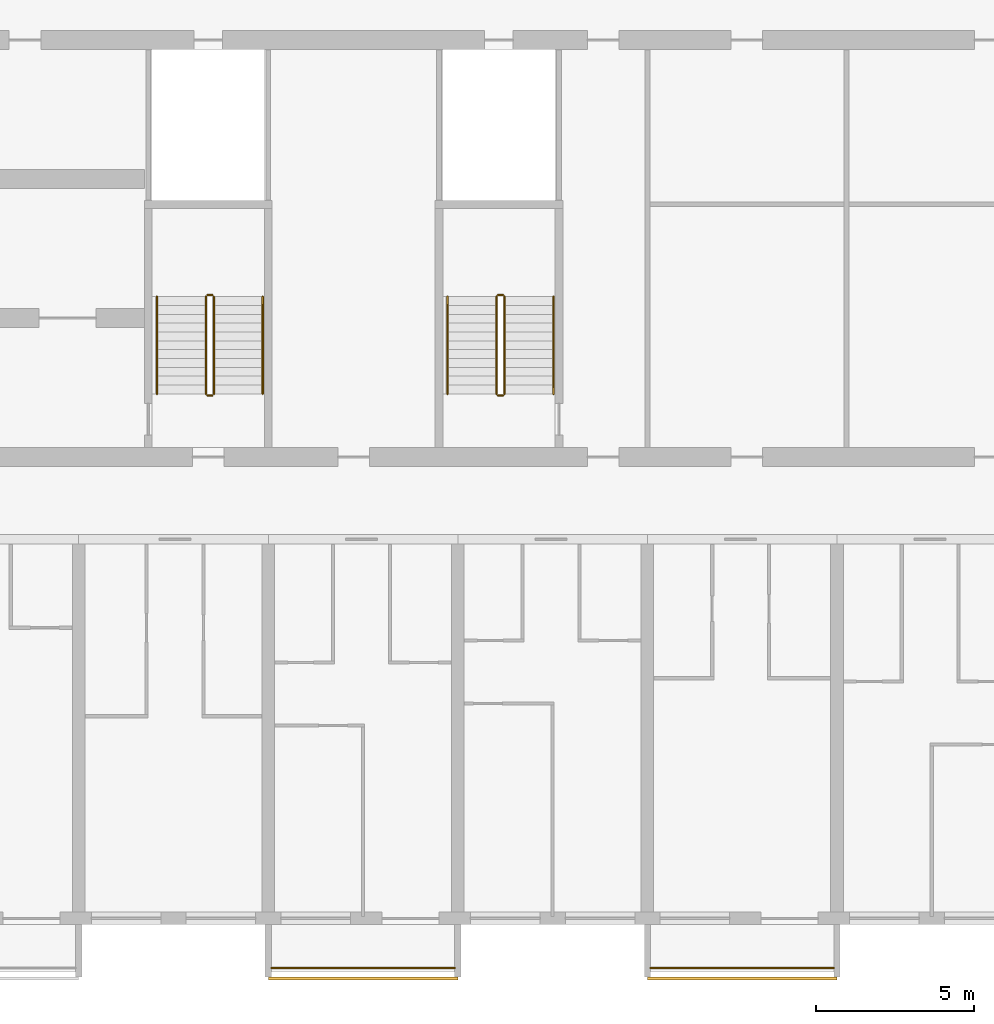
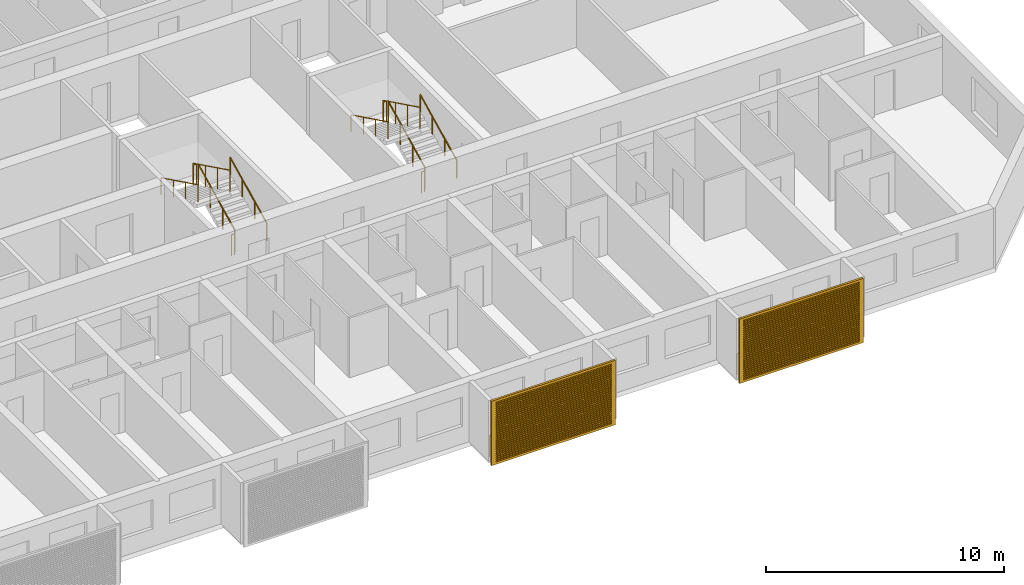
# One storey, part 30 of 38: 14 railings, 2 shading devices.
"""IFC4 building model written with IfcOpenShell, lengths in metres."""

from ifc_helpers import new_model, si_unit, direction, frame, origin, origin_2d, place, context, subcontext, project, spatial, polyline, circle, outline, extrude, source, transform, mapped, material, material_profile, profile_set, type_object, element, save


model = new_model("IFC4")

# Units and contexts
model_context = context("Model", 3, precision=1e-05, world=origin(), true_north=direction((0.0, 1.0)))
body_context = subcontext(model_context, "Body", "Model", "MODEL_VIEW")
ifc_project = project(units=[si_unit("LENGTHUNIT", "METRE"), si_unit("AREAUNIT", "SQUARE_METRE"), si_unit("VOLUMEUNIT", "CUBIC_METRE"), si_unit("PLANEANGLEUNIT", "RADIAN"), si_unit("MASSUNIT", "GRAM", prefix="KILO")], contexts=[model_context])

# Site, building, storey
site_placement = place(None, origin())
site = spatial("IfcSite", under=ifc_project, at=site_placement, CompositionType="ELEMENT")
building_placement = place(site_placement, origin())
building = spatial("IfcBuilding", under=site, at=building_placement, Name="Poui Terraces", CompositionType="ELEMENT")
storey_placement = place(building_placement, frame((0.0, 0.0, 46.5)))
storey = spatial("IfcBuildingStorey", under=building, at=storey_placement, Name="L12", CompositionType="ELEMENT", Elevation=46.5)

# Railings
ifc_material_1 = material(Name="Painted steel fretwork", Category="steel")
railing_type_1 = type_object("IfcRailingType", Name="BALCONY GUARD 1100", PredefinedType="GUARDRAIL", material=ifc_material_1)
for number, where, name in (
    (1, (72.10009765625, -1.570068359375, 0.0), "BALCONY GUARD"),
    (2, (84.10009765625, -1.570068359375, 0.0), "BALCONY GUARD"),
):
    element("IfcRailing", number, at=place(storey_placement, frame(where)), inside=storey, type_object=railing_type_1, Name=name, PredefinedType="GUARDRAIL", context=body_context, shape_type="SweptSolid", body=[
        extrude(circle(Radius=0.02392578125, at=origin_2d()), frame((0.0, 0.0, 1.076171875), z_axis=(1.0, 0.0, 0.0), x_axis=(0.0, 1.0, 0.0)), (0.0, 0.0, 1.0), 5.7998046875),
        extrude(circle(Radius=0.02099609375, at=origin_2d()), origin(), (0.0, 0.0, 1.0), 1.052001953125),
        extrude(circle(Radius=0.02099609375, at=origin_2d()), frame((0.966552734375, 0.0, 0.0)), (0.0, 0.0, 1.0), 1.052001953125),
        extrude(circle(Radius=0.02099609375, at=origin_2d()), frame((1.933349609375, 0.0, 0.0)), (0.0, 0.0, 1.0), 1.052001953125),
        extrude(circle(Radius=0.02099609375, at=origin_2d()), frame((2.89990234375, 0.0, 0.0)), (0.0, 0.0, 1.0), 1.052001953125),
        extrude(circle(Radius=0.02099609375, at=origin_2d()), frame((3.866455078125, 0.0, 0.0)), (0.0, 0.0, 1.0), 1.052001953125),
        extrude(circle(Radius=0.02099609375, at=origin_2d()), frame((4.833251953125, 0.0, 0.0)), (0.0, 0.0, 1.0), 1.052001953125),
        extrude(circle(Radius=0.02099609375, at=origin_2d()), frame((5.7998046875, 0.0, 0.0)), (0.0, 0.0, 1.0), 1.052001953125),
    ])
ifc_material_2 = material(Name="Galvanised steel balustrade", Category="steel")
railing_type_2 = type_object("IfcRailingType", Name="STAIR GUARD 1100", PredefinedType="GUARDRAIL", material=ifc_material_2)
railing_1_placement = place(storey_placement, frame((70.27490234375, 16.60009765625, 0.137451171875)))
element("IfcRailing", 3, at=railing_1_placement, inside=storey, type_object=railing_type_2, Name="L12 ST-CE stair guard 1", PredefinedType="GUARDRAIL", context=body_context, shape_type="SweptSolid", body=[
    extrude(circle(Radius=0.02392578125, at=origin_2d()), frame((0.0, 0.0, 1.076171875), z_axis=(0.0, 0.897606190399, 0.440798283751), x_axis=(-1.0, 0.0, 0.0)), (0.0, 0.0, 1.0), 3.43115234375),
    extrude(circle(Radius=0.02099609375, at=origin_2d()), origin(), (0.0, 0.0, 1.0), 1.052001953125),
    extrude(circle(Radius=0.02099609375, at=origin_2d()), frame((0.0, 1.026611328125, 0.504150390625)), (0.0, 0.0, 1.0), 1.052001953125),
    extrude(circle(Radius=0.02099609375, at=origin_2d()), frame((0.0, 2.05322265625, 1.00830078125)), (0.0, 0.0, 1.0), 1.052001953125),
    extrude(circle(Radius=0.02099609375, at=origin_2d()), frame((0.0, 3.079833984375, 1.512451171875)), (0.0, 0.0, 1.0), 1.052001953125),
])
railing_2_placement = place(storey_placement, frame((70.22509765625, 19.72998046875, 1.64990234375)))
element("IfcRailing", 4, at=railing_2_placement, inside=storey, type_object=railing_type_2, Name="L12 ST-CE stair guard 2", PredefinedType="GUARDRAIL", context=body_context, shape_type="SweptSolid", body=[
    extrude(circle(Radius=0.02392578125, at=origin_2d()), frame((0.0, 0.0, 1.076171875), z_axis=(-1.0, 0.0, 0.0), x_axis=(0.0, -1.0, 0.0)), (0.0, 0.0, 1.0), 0.150146484375),
    extrude(circle(Radius=0.02099609375, at=origin_2d()), origin(), (0.0, 0.0, 1.0), 1.052001953125),
    extrude(circle(Radius=0.02099609375, at=origin_2d()), frame((-0.150146484375, 0.0, 0.0)), (0.0, 0.0, 1.0), 1.052001953125),
])
railing_3_placement = place(storey_placement, frame((70.02490234375, 19.679931640625, 1.78759765625)))
element("IfcRailing", 5, at=railing_3_placement, inside=storey, type_object=railing_type_2, Name="L12 ST-CE stair guard 3", PredefinedType="GUARDRAIL", context=body_context, shape_type="SweptSolid", body=[
    extrude(circle(Radius=0.02392578125, at=origin_2d()), frame((0.0, 0.0, 1.076171875), z_axis=(0.0, -0.897606190399, 0.440798283751), x_axis=(1.0, 0.0, 0.0)), (0.0, 0.0, 1.0), 3.43115234375),
    extrude(circle(Radius=0.02099609375, at=origin_2d()), origin(), (0.0, 0.0, 1.0), 1.052001953125),
    extrude(circle(Radius=0.02099609375, at=origin_2d()), frame((0.0, -1.026611328125, 0.504150390625)), (0.0, 0.0, 1.0), 1.052001953125),
    extrude(circle(Radius=0.02099609375, at=origin_2d()), frame((0.0, -2.05322265625, 1.00830078125)), (0.0, 0.0, 1.0), 1.052001953125),
    extrude(circle(Radius=0.02099609375, at=origin_2d()), frame((0.0, -3.079833984375, 1.512451171875)), (0.0, 0.0, 1.0), 1.052001953125),
])
railing_4_placement = place(storey_placement, frame((70.22509765625, 16.550048828125, 0.0)))
element("IfcRailing", 6, at=railing_4_placement, inside=storey, type_object=railing_type_2, Name="L12 ST-CE stair guard 4", PredefinedType="GUARDRAIL", context=body_context, shape_type="SweptSolid", body=[
    extrude(circle(Radius=0.02392578125, at=origin_2d()), frame((0.0, 0.0, 1.076171875), z_axis=(-1.0, 0.0, 0.0), x_axis=(0.0, -1.0, 0.0)), (0.0, 0.0, 1.0), 0.150146484375),
    extrude(circle(Radius=0.02099609375, at=origin_2d()), origin(), (0.0, 0.0, 1.0), 1.052001953125),
    extrude(circle(Radius=0.02099609375, at=origin_2d()), frame((-0.150146484375, 0.0, 0.0)), (0.0, 0.0, 1.0), 1.052001953125),
])
railing_5_placement = place(storey_placement, frame((79.47509765625, 16.60009765625, 0.137451171875)))
element("IfcRailing", 7, at=railing_5_placement, inside=storey, type_object=railing_type_2, Name="L12 ST-E stair guard 1", PredefinedType="GUARDRAIL", context=body_context, shape_type="SweptSolid", body=[
    extrude(circle(Radius=0.02392578125, at=origin_2d()), frame((0.0, 0.0, 1.076171875), z_axis=(0.0, 0.897606190399, 0.440798283751), x_axis=(-1.0, 0.0, 0.0)), (0.0, 0.0, 1.0), 3.43115234375),
    extrude(circle(Radius=0.02099609375, at=origin_2d()), origin(), (0.0, 0.0, 1.0), 1.052001953125),
    extrude(circle(Radius=0.02099609375, at=origin_2d()), frame((0.0, 1.026611328125, 0.504150390625)), (0.0, 0.0, 1.0), 1.052001953125),
    extrude(circle(Radius=0.02099609375, at=origin_2d()), frame((0.0, 2.05322265625, 1.00830078125)), (0.0, 0.0, 1.0), 1.052001953125),
    extrude(circle(Radius=0.02099609375, at=origin_2d()), frame((0.0, 3.079833984375, 1.512451171875)), (0.0, 0.0, 1.0), 1.052001953125),
])
railing_6_placement = place(storey_placement, frame((79.425048828125, 19.72998046875, 1.64990234375)))
element("IfcRailing", 8, at=railing_6_placement, inside=storey, type_object=railing_type_2, Name="L12 ST-E stair guard 2", PredefinedType="GUARDRAIL", context=body_context, shape_type="SweptSolid", body=[
    extrude(circle(Radius=0.02392578125, at=origin_2d()), frame((0.0, 0.0, 1.076171875), z_axis=(-1.0, 0.0, 0.0), x_axis=(0.0, -1.0, 0.0)), (0.0, 0.0, 1.0), 0.150146484375),
    extrude(circle(Radius=0.02099609375, at=origin_2d()), origin(), (0.0, 0.0, 1.0), 1.052001953125),
    extrude(circle(Radius=0.02099609375, at=origin_2d()), frame((-0.150146484375, 0.0, 0.0)), (0.0, 0.0, 1.0), 1.052001953125),
])
railing_7_placement = place(storey_placement, frame((79.22509765625, 19.679931640625, 1.78759765625)))
element("IfcRailing", 9, at=railing_7_placement, inside=storey, type_object=railing_type_2, Name="L12 ST-E stair guard 3", PredefinedType="GUARDRAIL", context=body_context, shape_type="SweptSolid", body=[
    extrude(circle(Radius=0.02392578125, at=origin_2d()), frame((0.0, 0.0, 1.076171875), z_axis=(0.0, -0.897606190399, 0.440798283751), x_axis=(1.0, 0.0, 0.0)), (0.0, 0.0, 1.0), 3.43115234375),
    extrude(circle(Radius=0.02099609375, at=origin_2d()), origin(), (0.0, 0.0, 1.0), 1.052001953125),
    extrude(circle(Radius=0.02099609375, at=origin_2d()), frame((0.0, -1.026611328125, 0.504150390625)), (0.0, 0.0, 1.0), 1.052001953125),
    extrude(circle(Radius=0.02099609375, at=origin_2d()), frame((0.0, -2.05322265625, 1.00830078125)), (0.0, 0.0, 1.0), 1.052001953125),
    extrude(circle(Radius=0.02099609375, at=origin_2d()), frame((0.0, -3.079833984375, 1.512451171875)), (0.0, 0.0, 1.0), 1.052001953125),
])
railing_8_placement = place(storey_placement, frame((79.425048828125, 16.550048828125, 0.0)))
element("IfcRailing", 10, at=railing_8_placement, inside=storey, type_object=railing_type_2, Name="L12 ST-E stair guard 4", PredefinedType="GUARDRAIL", context=body_context, shape_type="SweptSolid", body=[
    extrude(circle(Radius=0.02392578125, at=origin_2d()), frame((0.0, 0.0, 1.076171875), z_axis=(-1.0, 0.0, 0.0), x_axis=(0.0, -1.0, 0.0)), (0.0, 0.0, 1.0), 0.150146484375),
    extrude(circle(Radius=0.02099609375, at=origin_2d()), origin(), (0.0, 0.0, 1.0), 1.052001953125),
    extrude(circle(Radius=0.02099609375, at=origin_2d()), frame((-0.150146484375, 0.0, 0.0)), (0.0, 0.0, 1.0), 1.052001953125),
])
ifc_material_3 = material(Name="Stainless steel handrail", Category="steel")
railing_type_3 = type_object("IfcRailingType", Name="STAIR HANDRAIL 900", PredefinedType="HANDRAIL", material=ifc_material_3)
railing_9_placement = place(storey_placement, frame((71.824951171875, 16.60009765625, 0.137451171875)))
element("IfcRailing", 11, at=railing_9_placement, inside=storey, type_object=railing_type_3, Name="L12 ST-CE stair handrail 1", PredefinedType="HANDRAIL", context=body_context, shape_type="SweptSolid", body=[
    extrude(circle(Radius=0.02392578125, at=origin_2d()), frame((0.0, 0.0, 0.8759765625), z_axis=(0.0, 0.897606190399, 0.440798283751), x_axis=(-1.0, 0.0, 0.0)), (0.0, 0.0, 1.0), 3.43115234375),
    extrude(circle(Radius=0.02099609375, at=origin_2d()), origin(), (0.0, 0.0, 1.0), 0.851806640625),
    extrude(circle(Radius=0.02099609375, at=origin_2d()), frame((0.0, 1.026611328125, 0.504150390625)), (0.0, 0.0, 1.0), 0.851806640625),
    extrude(circle(Radius=0.02099609375, at=origin_2d()), frame((0.0, 2.05322265625, 1.00830078125)), (0.0, 0.0, 1.0), 0.851806640625),
    extrude(circle(Radius=0.02099609375, at=origin_2d()), frame((0.0, 3.079833984375, 1.512451171875)), (0.0, 0.0, 1.0), 0.851806640625),
])
railing_10_placement = place(storey_placement, frame((68.47509765625, 19.679931640625, 1.78759765625)))
element("IfcRailing", 12, at=railing_10_placement, inside=storey, type_object=railing_type_3, Name="L12 ST-CE stair handrail 2", PredefinedType="HANDRAIL", context=body_context, shape_type="SweptSolid", body=[
    extrude(circle(Radius=0.02392578125, at=origin_2d()), frame((0.0, 0.0, 0.8759765625), z_axis=(0.0, -0.897606190399, 0.440798283751), x_axis=(1.0, 0.0, 0.0)), (0.0, 0.0, 1.0), 3.43115234375),
    extrude(circle(Radius=0.02099609375, at=origin_2d()), origin(), (0.0, 0.0, 1.0), 0.851806640625),
    extrude(circle(Radius=0.02099609375, at=origin_2d()), frame((0.0, -1.026611328125, 0.504150390625)), (0.0, 0.0, 1.0), 0.851806640625),
    extrude(circle(Radius=0.02099609375, at=origin_2d()), frame((0.0, -2.05322265625, 1.00830078125)), (0.0, 0.0, 1.0), 0.851806640625),
    extrude(circle(Radius=0.02099609375, at=origin_2d()), frame((0.0, -3.079833984375, 1.512451171875)), (0.0, 0.0, 1.0), 0.851806640625),
])
railing_11_placement = place(storey_placement, frame((81.02490234375, 16.60009765625, 0.137451171875)))
element("IfcRailing", 13, at=railing_11_placement, inside=storey, type_object=railing_type_3, Name="L12 ST-E stair handrail 1", PredefinedType="HANDRAIL", context=body_context, shape_type="SweptSolid", body=[
    extrude(circle(Radius=0.02392578125, at=origin_2d()), frame((0.0, 0.0, 0.8759765625), z_axis=(0.0, 0.897606190399, 0.440798283751), x_axis=(-1.0, 0.0, 0.0)), (0.0, 0.0, 1.0), 3.43115234375),
    extrude(circle(Radius=0.02099609375, at=origin_2d()), origin(), (0.0, 0.0, 1.0), 0.851806640625),
    extrude(circle(Radius=0.02099609375, at=origin_2d()), frame((0.0, 1.026611328125, 0.504150390625)), (0.0, 0.0, 1.0), 0.851806640625),
    extrude(circle(Radius=0.02099609375, at=origin_2d()), frame((0.0, 2.05322265625, 1.00830078125)), (0.0, 0.0, 1.0), 0.851806640625),
    extrude(circle(Radius=0.02099609375, at=origin_2d()), frame((0.0, 3.079833984375, 1.512451171875)), (0.0, 0.0, 1.0), 0.851806640625),
])
railing_12_placement = place(storey_placement, frame((77.675048828125, 19.679931640625, 1.78759765625)))
element("IfcRailing", 14, at=railing_12_placement, inside=storey, type_object=railing_type_3, Name="L12 ST-E stair handrail 2", PredefinedType="HANDRAIL", context=body_context, shape_type="SweptSolid", body=[
    extrude(circle(Radius=0.02392578125, at=origin_2d()), frame((0.0, 0.0, 0.8759765625), z_axis=(0.0, -0.897606190399, 0.440798283751), x_axis=(1.0, 0.0, 0.0)), (0.0, 0.0, 1.0), 3.43115234375),
    extrude(circle(Radius=0.02099609375, at=origin_2d()), origin(), (0.0, 0.0, 1.0), 0.851806640625),
    extrude(circle(Radius=0.02099609375, at=origin_2d()), frame((0.0, -1.026611328125, 0.504150390625)), (0.0, 0.0, 1.0), 0.851806640625),
    extrude(circle(Radius=0.02099609375, at=origin_2d()), frame((0.0, -2.05322265625, 1.00830078125)), (0.0, 0.0, 1.0), 0.851806640625),
    extrude(circle(Radius=0.02099609375, at=origin_2d()), frame((0.0, -3.079833984375, 1.512451171875)), (0.0, 0.0, 1.0), 0.851806640625),
])

# Shading devices
ifc_material_4 = material(Name="Aluminium louvre", Category="aluminium")
ifc_material_profile = material_profile(ifc_material_4, outline(polyline([(-3.0, -1.64990234375), (3.0, -1.64990234375), (3.0, 1.64990234375), (-3.0, 1.64990234375), (-3.0, -1.64990234375)]), holes=[polyline([(-2.800048828125, -1.530029296875), (2.800048828125, -1.530029296875), (2.800048828125, -1.469970703125), (-2.800048828125, -1.469970703125), (-2.800048828125, -1.530029296875)]), polyline([(-2.800048828125, -1.429931640625), (2.800048828125, -1.429931640625), (2.800048828125, -1.3701171875), (-2.800048828125, -1.3701171875), (-2.800048828125, -1.429931640625)]), polyline([(-2.800048828125, -1.330078125), (2.800048828125, -1.330078125), (2.800048828125, -1.27001953125), (-2.800048828125, -1.27001953125), (-2.800048828125, -1.330078125)]), polyline([(-2.800048828125, -1.22998046875), (2.800048828125, -1.22998046875), (2.800048828125, -1.169921875), (-2.800048828125, -1.169921875), (-2.800048828125, -1.22998046875)]), polyline([(-2.800048828125, -1.1298828125), (2.800048828125, -1.1298828125), (2.800048828125, -1.070068359375), (-2.800048828125, -1.070068359375), (-2.800048828125, -1.1298828125)]), polyline([(-2.800048828125, -1.030029296875), (2.800048828125, -1.030029296875), (2.800048828125, -0.969970703125), (-2.800048828125, -0.969970703125), (-2.800048828125, -1.030029296875)]), polyline([(-2.800048828125, -0.929931640625), (2.800048828125, -0.929931640625), (2.800048828125, -0.8701171875), (-2.800048828125, -0.8701171875), (-2.800048828125, -0.929931640625)]), polyline([(-2.800048828125, -0.830078125), (2.800048828125, -0.830078125), (2.800048828125, -0.77001953125), (-2.800048828125, -0.77001953125), (-2.800048828125, -0.830078125)]), polyline([(-2.800048828125, -0.72998046875), (2.800048828125, -0.72998046875), (2.800048828125, -0.669921875), (-2.800048828125, -0.669921875), (-2.800048828125, -0.72998046875)]), polyline([(-2.800048828125, -0.6298828125), (2.800048828125, -0.6298828125), (2.800048828125, -0.570068359375), (-2.800048828125, -0.570068359375), (-2.800048828125, -0.6298828125)]), polyline([(-2.800048828125, -0.530029296875), (2.800048828125, -0.530029296875), (2.800048828125, -0.469970703125), (-2.800048828125, -0.469970703125), (-2.800048828125, -0.530029296875)]), polyline([(-2.800048828125, -0.429931640625), (2.800048828125, -0.429931640625), (2.800048828125, -0.3701171875), (-2.800048828125, -0.3701171875), (-2.800048828125, -0.429931640625)]), polyline([(-2.800048828125, -0.330078125), (2.800048828125, -0.330078125), (2.800048828125, -0.27001953125), (-2.800048828125, -0.27001953125), (-2.800048828125, -0.330078125)]), polyline([(-2.800048828125, -0.22998046875), (2.800048828125, -0.22998046875), (2.800048828125, -0.169921875), (-2.800048828125, -0.169921875), (-2.800048828125, -0.22998046875)]), polyline([(-2.800048828125, -0.1298828125), (2.800048828125, -0.1298828125), (2.800048828125, -0.070068359375), (-2.800048828125, -0.070068359375), (-2.800048828125, -0.1298828125)]), polyline([(-2.800048828125, -0.030029296875), (2.800048828125, -0.030029296875), (2.800048828125, 0.030029296875), (-2.800048828125, 0.030029296875), (-2.800048828125, -0.030029296875)]), polyline([(-2.800048828125, 0.070068359375), (2.800048828125, 0.070068359375), (2.800048828125, 0.1298828125), (-2.800048828125, 0.1298828125), (-2.800048828125, 0.070068359375)]), polyline([(-2.800048828125, 0.169921875), (2.800048828125, 0.169921875), (2.800048828125, 0.22998046875), (-2.800048828125, 0.22998046875), (-2.800048828125, 0.169921875)]), polyline([(-2.800048828125, 0.27001953125), (2.800048828125, 0.27001953125), (2.800048828125, 0.330078125), (-2.800048828125, 0.330078125), (-2.800048828125, 0.27001953125)]), polyline([(-2.800048828125, 0.3701171875), (2.800048828125, 0.3701171875), (2.800048828125, 0.429931640625), (-2.800048828125, 0.429931640625), (-2.800048828125, 0.3701171875)]), polyline([(-2.800048828125, 0.469970703125), (2.800048828125, 0.469970703125), (2.800048828125, 0.530029296875), (-2.800048828125, 0.530029296875), (-2.800048828125, 0.469970703125)]), polyline([(-2.800048828125, 0.570068359375), (2.800048828125, 0.570068359375), (2.800048828125, 0.6298828125), (-2.800048828125, 0.6298828125), (-2.800048828125, 0.570068359375)]), polyline([(-2.800048828125, 0.669921875), (2.800048828125, 0.669921875), (2.800048828125, 0.72998046875), (-2.800048828125, 0.72998046875), (-2.800048828125, 0.669921875)]), polyline([(-2.800048828125, 0.77001953125), (2.800048828125, 0.77001953125), (2.800048828125, 0.830078125), (-2.800048828125, 0.830078125), (-2.800048828125, 0.77001953125)]), polyline([(-2.800048828125, 0.8701171875), (2.800048828125, 0.8701171875), (2.800048828125, 0.929931640625), (-2.800048828125, 0.929931640625), (-2.800048828125, 0.8701171875)]), polyline([(-2.800048828125, 0.969970703125), (2.800048828125, 0.969970703125), (2.800048828125, 1.030029296875), (-2.800048828125, 1.030029296875), (-2.800048828125, 0.969970703125)]), polyline([(-2.800048828125, 1.070068359375), (2.800048828125, 1.070068359375), (2.800048828125, 1.1298828125), (-2.800048828125, 1.1298828125), (-2.800048828125, 1.070068359375)]), polyline([(-2.800048828125, 1.169921875), (2.800048828125, 1.169921875), (2.800048828125, 1.22998046875), (-2.800048828125, 1.22998046875), (-2.800048828125, 1.169921875)]), polyline([(-2.800048828125, 1.27001953125), (2.800048828125, 1.27001953125), (2.800048828125, 1.330078125), (-2.800048828125, 1.330078125), (-2.800048828125, 1.27001953125)]), polyline([(-2.800048828125, 1.3701171875), (2.800048828125, 1.3701171875), (2.800048828125, 1.429931640625), (-2.800048828125, 1.429931640625), (-2.800048828125, 1.3701171875)]), polyline([(-2.800048828125, 1.469970703125), (2.800048828125, 1.469970703125), (2.800048828125, 1.530029296875), (-2.800048828125, 1.530029296875), (-2.800048828125, 1.469970703125)])]), Name="JALOUSIE LOUVRE SHUTTER 6000X3300")
ifc_profile_set = profile_set([ifc_material_profile], Name="Aluminium louvre")
shading_device_type = type_object("IfcShadingDeviceType", Name="JALOUSIE LOUVRE SHUTTER 6000X3300", PredefinedType="JALOUSIE", material=ifc_profile_set)
shared_shape = source(origin(), body_context, "Body", "SweptSolid", [
    extrude(outline(polyline([(-3.0, -1.64990234375), (3.0, -1.64990234375), (3.0, 1.64990234375), (-3.0, 1.64990234375), (-3.0, -1.64990234375)]), holes=[polyline([(-2.800048828125, -1.530029296875), (2.800048828125, -1.530029296875), (2.800048828125, -1.469970703125), (-2.800048828125, -1.469970703125), (-2.800048828125, -1.530029296875)]), polyline([(-2.800048828125, -1.429931640625), (2.800048828125, -1.429931640625), (2.800048828125, -1.3701171875), (-2.800048828125, -1.3701171875), (-2.800048828125, -1.429931640625)]), polyline([(-2.800048828125, -1.330078125), (2.800048828125, -1.330078125), (2.800048828125, -1.27001953125), (-2.800048828125, -1.27001953125), (-2.800048828125, -1.330078125)]), polyline([(-2.800048828125, -1.22998046875), (2.800048828125, -1.22998046875), (2.800048828125, -1.169921875), (-2.800048828125, -1.169921875), (-2.800048828125, -1.22998046875)]), polyline([(-2.800048828125, -1.1298828125), (2.800048828125, -1.1298828125), (2.800048828125, -1.070068359375), (-2.800048828125, -1.070068359375), (-2.800048828125, -1.1298828125)]), polyline([(-2.800048828125, -1.030029296875), (2.800048828125, -1.030029296875), (2.800048828125, -0.969970703125), (-2.800048828125, -0.969970703125), (-2.800048828125, -1.030029296875)]), polyline([(-2.800048828125, -0.929931640625), (2.800048828125, -0.929931640625), (2.800048828125, -0.8701171875), (-2.800048828125, -0.8701171875), (-2.800048828125, -0.929931640625)]), polyline([(-2.800048828125, -0.830078125), (2.800048828125, -0.830078125), (2.800048828125, -0.77001953125), (-2.800048828125, -0.77001953125), (-2.800048828125, -0.830078125)]), polyline([(-2.800048828125, -0.72998046875), (2.800048828125, -0.72998046875), (2.800048828125, -0.669921875), (-2.800048828125, -0.669921875), (-2.800048828125, -0.72998046875)]), polyline([(-2.800048828125, -0.6298828125), (2.800048828125, -0.6298828125), (2.800048828125, -0.570068359375), (-2.800048828125, -0.570068359375), (-2.800048828125, -0.6298828125)]), polyline([(-2.800048828125, -0.530029296875), (2.800048828125, -0.530029296875), (2.800048828125, -0.469970703125), (-2.800048828125, -0.469970703125), (-2.800048828125, -0.530029296875)]), polyline([(-2.800048828125, -0.429931640625), (2.800048828125, -0.429931640625), (2.800048828125, -0.3701171875), (-2.800048828125, -0.3701171875), (-2.800048828125, -0.429931640625)]), polyline([(-2.800048828125, -0.330078125), (2.800048828125, -0.330078125), (2.800048828125, -0.27001953125), (-2.800048828125, -0.27001953125), (-2.800048828125, -0.330078125)]), polyline([(-2.800048828125, -0.22998046875), (2.800048828125, -0.22998046875), (2.800048828125, -0.169921875), (-2.800048828125, -0.169921875), (-2.800048828125, -0.22998046875)]), polyline([(-2.800048828125, -0.1298828125), (2.800048828125, -0.1298828125), (2.800048828125, -0.070068359375), (-2.800048828125, -0.070068359375), (-2.800048828125, -0.1298828125)]), polyline([(-2.800048828125, -0.030029296875), (2.800048828125, -0.030029296875), (2.800048828125, 0.030029296875), (-2.800048828125, 0.030029296875), (-2.800048828125, -0.030029296875)]), polyline([(-2.800048828125, 0.070068359375), (2.800048828125, 0.070068359375), (2.800048828125, 0.1298828125), (-2.800048828125, 0.1298828125), (-2.800048828125, 0.070068359375)]), polyline([(-2.800048828125, 0.169921875), (2.800048828125, 0.169921875), (2.800048828125, 0.22998046875), (-2.800048828125, 0.22998046875), (-2.800048828125, 0.169921875)]), polyline([(-2.800048828125, 0.27001953125), (2.800048828125, 0.27001953125), (2.800048828125, 0.330078125), (-2.800048828125, 0.330078125), (-2.800048828125, 0.27001953125)]), polyline([(-2.800048828125, 0.3701171875), (2.800048828125, 0.3701171875), (2.800048828125, 0.429931640625), (-2.800048828125, 0.429931640625), (-2.800048828125, 0.3701171875)]), polyline([(-2.800048828125, 0.469970703125), (2.800048828125, 0.469970703125), (2.800048828125, 0.530029296875), (-2.800048828125, 0.530029296875), (-2.800048828125, 0.469970703125)]), polyline([(-2.800048828125, 0.570068359375), (2.800048828125, 0.570068359375), (2.800048828125, 0.6298828125), (-2.800048828125, 0.6298828125), (-2.800048828125, 0.570068359375)]), polyline([(-2.800048828125, 0.669921875), (2.800048828125, 0.669921875), (2.800048828125, 0.72998046875), (-2.800048828125, 0.72998046875), (-2.800048828125, 0.669921875)]), polyline([(-2.800048828125, 0.77001953125), (2.800048828125, 0.77001953125), (2.800048828125, 0.830078125), (-2.800048828125, 0.830078125), (-2.800048828125, 0.77001953125)]), polyline([(-2.800048828125, 0.8701171875), (2.800048828125, 0.8701171875), (2.800048828125, 0.929931640625), (-2.800048828125, 0.929931640625), (-2.800048828125, 0.8701171875)]), polyline([(-2.800048828125, 0.969970703125), (2.800048828125, 0.969970703125), (2.800048828125, 1.030029296875), (-2.800048828125, 1.030029296875), (-2.800048828125, 0.969970703125)]), polyline([(-2.800048828125, 1.070068359375), (2.800048828125, 1.070068359375), (2.800048828125, 1.1298828125), (-2.800048828125, 1.1298828125), (-2.800048828125, 1.070068359375)]), polyline([(-2.800048828125, 1.169921875), (2.800048828125, 1.169921875), (2.800048828125, 1.22998046875), (-2.800048828125, 1.22998046875), (-2.800048828125, 1.169921875)]), polyline([(-2.800048828125, 1.27001953125), (2.800048828125, 1.27001953125), (2.800048828125, 1.330078125), (-2.800048828125, 1.330078125), (-2.800048828125, 1.27001953125)]), polyline([(-2.800048828125, 1.3701171875), (2.800048828125, 1.3701171875), (2.800048828125, 1.429931640625), (-2.800048828125, 1.429931640625), (-2.800048828125, 1.3701171875)]), polyline([(-2.800048828125, 1.469970703125), (2.800048828125, 1.469970703125), (2.800048828125, 1.530029296875), (-2.800048828125, 1.530029296875), (-2.800048828125, 1.469970703125)])]), origin(), (0.0, 0.0, 1.0), 0.099853515625),
])
for number, where, z_axis, x_axis, name in (
    (15, (75.0, -1.85009765625, 1.449951171875), (0.0, -1.0, 0.0), (1.0, 0.0, 0.0), "JALOUSIE LOUVRE SHUTTER"),
    (16, (87.0, -1.85009765625, 1.449951171875), (0.0, -1.0, 0.0), (1.0, 0.0, 0.0), "JALOUSIE LOUVRE SHUTTER"),
):
    element("IfcShadingDevice", number, at=place(storey_placement, frame(where, z_axis=z_axis, x_axis=x_axis)), inside=storey, type_object=shading_device_type, Name=name, PredefinedType="JALOUSIE", context=body_context, shape_type="MappedRepresentation", body=[
        mapped(shared_shape, transform((0.0, 0.0, 0.0))),
    ])

save(model, "model.ifc")
